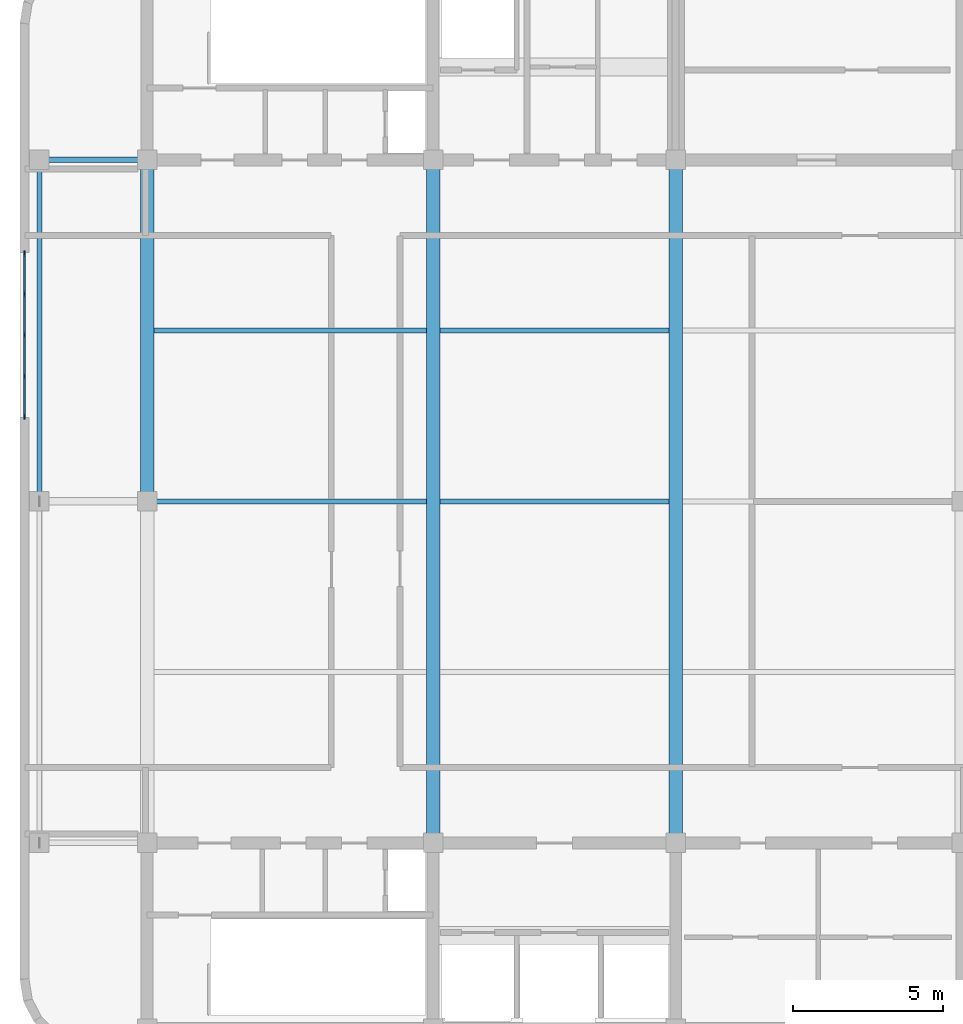
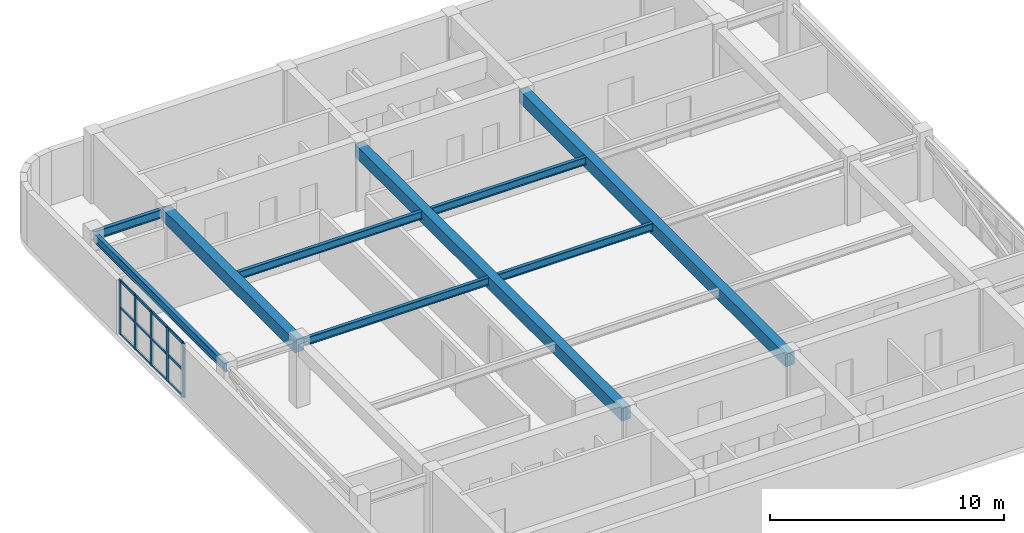
# One storey, part 2 of 9: 17 members, 9 beams, 1 element without a shape of its own.
"""IFC4 building model written with IfcOpenShell, lengths in metres."""

from ifc_helpers import new_model, si_unit, direction, frame, origin, origin_2d, place, context, subcontext, project, spatial, rectangle, i_section, extrude, material, material_profile, profile_set, type_object, element, aggregate, save


model = new_model("IFC4")

# Units and contexts
model_context = context("Model", 3, precision=1e-05, world=origin(), true_north=direction((0.0, 1.0)))
body_context = subcontext(model_context, "Body", "Model", "MODEL_VIEW")
ifc_project = project(units=[si_unit("LENGTHUNIT", "METRE"), si_unit("AREAUNIT", "SQUARE_METRE"), si_unit("VOLUMEUNIT", "CUBIC_METRE"), si_unit("PLANEANGLEUNIT", "RADIAN"), si_unit("MASSUNIT", "GRAM", prefix="KILO")], contexts=[model_context])

# Site, building, storey
site_placement = place(None, origin())
site = spatial("IfcSite", under=ifc_project, at=site_placement, CompositionType="ELEMENT")
building_placement = place(site_placement, origin())
building = spatial("IfcBuilding", under=site, at=building_placement, Name="Svetorya Sky Lyceum", CompositionType="ELEMENT")
storey_placement = place(building_placement, frame((0.0, 0.0, 320.0)))
storey = spatial("IfcBuildingStorey", under=building, at=storey_placement, Name="C06", CompositionType="ELEMENT", Elevation=320.0)

# Beams
ifc_material_1 = material(Name="Concrete C40/50", Category="concrete")
ifc_material_profile_1 = material_profile(ifc_material_1, rectangle(XDim=0.449951171875, YDim=0.64990234375, at=origin_2d()), Name="RC BEAM 450x650")
ifc_profile_set_1 = profile_set([ifc_material_profile_1], Name="Concrete C40/50")
beam_type_1 = type_object("IfcBeamType", Name="BM-RC-650", PredefinedType="BEAM", material=ifc_profile_set_1)
beam_1_placement = place(storey_placement, frame((25.60009765625, 28.199951171875, 2.985107421875), z_axis=(0.0, 1.0, 0.0), x_axis=(-1.0, 0.0, 0.0)))
element("IfcBeam", 1, at=beam_1_placement, inside=storey, type_object=beam_type_1, Name="C06 Central Bay Primary Girder CG-1B", PredefinedType="BEAM", context=body_context, shape_type="SweptSolid", body=[
    extrude(rectangle(XDim=0.449951171875, YDim=0.64990234375, at=origin_2d()), origin(), (0.0, 0.0, 1.0), 11.400146484375),
])
for number, where, z_axis, x_axis, name in (
    (2, (35.14990234375, 16.800048828125, 2.985107421875), (0.0, 1.0, 0.0), (-1.0, 0.0, 0.0), "C06 Central Bay Primary Girder CG-2"),
    (3, (43.25, 16.800048828125, 2.985107421875), (0.0, 1.0, 0.0), (-1.0, 0.0, 0.0), "C06 Central Bay Primary Girder CG-3"),
):
    element("IfcBeam", number, at=place(storey_placement, frame(where, z_axis=z_axis, x_axis=x_axis)), inside=storey, type_object=beam_type_1, Name=name, PredefinedType="BEAM", context=body_context, shape_type="SweptSolid", body=[
        extrude(rectangle(XDim=0.449951171875, YDim=0.64990234375, at=origin_2d()), origin(), (0.0, 0.0, 1.0), 22.800048828125),
    ])
ifc_material_2 = material(Name="Steel S355", Category="steel")
ifc_material_profile_2 = material_profile(ifc_material_2, i_section(OverallWidth=0.1650390625, OverallDepth=0.39990234375, WebThickness=0.008056640625, FlangeThickness=0.012939453125, at=origin_2d()), Name="GOST 40B2")
ifc_profile_set_2 = profile_set([ifc_material_profile_2], Name="Steel S355")
beam_type_2 = type_object("IfcBeamType", Name="BM-STL-40B2", PredefinedType="JOIST", material=ifc_profile_set_2)
beam_2_placement = place(storey_placement, frame((25.824951171875, 28.199951171875, 3.110107421875), z_axis=(1.0, 0.0, 0.0), x_axis=(0.0, 1.0, 0.0)))
element("IfcBeam", 4, at=beam_2_placement, inside=storey, type_object=beam_type_2, Name="C06 Central Floor Joist CJ-2.1", PredefinedType="JOIST", context=body_context, shape_type="SweptSolid", body=[
    extrude(i_section(OverallWidth=0.1650390625, OverallDepth=0.39990234375, WebThickness=0.008056640625, FlangeThickness=0.012939453125, at=origin_2d()), origin(), (0.0, 0.0, 1.0), 9.10009765625),
])
beam_3_placement = place(storey_placement, frame((35.375, 28.199951171875, 3.110107421875), z_axis=(1.0, 0.0, 0.0), x_axis=(0.0, 1.0, 0.0)))
element("IfcBeam", 5, at=beam_3_placement, inside=storey, type_object=beam_type_2, Name="C06 Central Floor Joist CJ-2.2", PredefinedType="JOIST", context=body_context, shape_type="SweptSolid", body=[
    extrude(i_section(OverallWidth=0.1650390625, OverallDepth=0.39990234375, WebThickness=0.008056640625, FlangeThickness=0.012939453125, at=origin_2d()), origin(), (0.0, 0.0, 1.0), 7.64990234375),
])
beam_4_placement = place(storey_placement, frame((25.824951171875, 33.89990234375, 3.110107421875), z_axis=(1.0, 0.0, 0.0), x_axis=(0.0, 1.0, 0.0)))
element("IfcBeam", 6, at=beam_4_placement, inside=storey, type_object=beam_type_2, Name="C06 Central Floor Joist CJ-3.1", PredefinedType="JOIST", context=body_context, shape_type="SweptSolid", body=[
    extrude(i_section(OverallWidth=0.1650390625, OverallDepth=0.39990234375, WebThickness=0.008056640625, FlangeThickness=0.012939453125, at=origin_2d()), origin(), (0.0, 0.0, 1.0), 9.10009765625),
])
beam_5_placement = place(storey_placement, frame((35.375, 33.89990234375, 3.110107421875), z_axis=(1.0, 0.0, 0.0), x_axis=(0.0, 1.0, 0.0)))
element("IfcBeam", 7, at=beam_5_placement, inside=storey, type_object=beam_type_2, Name="C06 Central Floor Joist CJ-3.2", PredefinedType="JOIST", context=body_context, shape_type="SweptSolid", body=[
    extrude(i_section(OverallWidth=0.1650390625, OverallDepth=0.39990234375, WebThickness=0.008056640625, FlangeThickness=0.012939453125, at=origin_2d()), origin(), (0.0, 0.0, 1.0), 7.64990234375),
])
ifc_material_profile_3 = material_profile(ifc_material_2, i_section(OverallWidth=0.179931640625, OverallDepth=0.449951171875, WebThickness=0.009033203125, FlangeThickness=0.014404296875, at=origin_2d()), Name="GOST 45B2")
ifc_profile_set_3 = profile_set([ifc_material_profile_3], Name="Steel S355")
beam_type_3 = type_object("IfcBeamType", Name="BM-STL-45B2", PredefinedType="SPANDREL", material=ifc_profile_set_3)
beam_6_placement = place(storey_placement, frame((22.010009765625, 39.60009765625, 3.0849609375), z_axis=(1.0, 0.0, 0.0), x_axis=(0.0, 1.0, 0.0)))
element("IfcBeam", 8, at=beam_6_placement, inside=storey, type_object=beam_type_3, Name="C06 Tie Spandrel NW", PredefinedType="SPANDREL", context=body_context, shape_type="SweptSolid", body=[
    extrude(i_section(OverallWidth=0.179931640625, OverallDepth=0.449951171875, WebThickness=0.009033203125, FlangeThickness=0.014404296875, at=origin_2d()), origin(), (0.0, 0.0, 1.0), 3.590087890625),
])
beam_7_placement = place(storey_placement, frame((22.010009765625, 28.199951171875, 3.0849609375), z_axis=(0.0, 1.0, 0.0), x_axis=(-1.0, 0.0, 0.0)))
element("IfcBeam", 9, at=beam_7_placement, inside=storey, type_object=beam_type_3, Name="C06 West Spandrel 2", PredefinedType="SPANDREL", context=body_context, shape_type="SweptSolid", body=[
    extrude(i_section(OverallWidth=0.179931640625, OverallDepth=0.449951171875, WebThickness=0.009033203125, FlangeThickness=0.014404296875, at=origin_2d()), origin(), (0.0, 0.0, 1.0), 11.400146484375),
])

# Curtain wall, members
ifc_material_3 = material(Name="Thermally broken anodized aluminium and triple low-E glass", Category="aluminium")
curtain_wall_type = type_object("IfcCurtainWallType", Name="CW5-LVR-PLT", PredefinedType="NOTDEFINED", material=ifc_material_3)
curtain_wall_placement = place(storey_placement, origin())
curtain_wall = element("IfcCurtainWall", 10, at=curtain_wall_placement, inside=storey, type_object=curtain_wall_type, Name="C06 Acoustic Plant Louvre Curtain Wall 24", PredefinedType="NOTDEFINED")
ifc_material_4 = material(Name="Thermally broken anodized aluminium EN AW-6060", Category="aluminium")
ifc_material_profile_4 = material_profile(ifc_material_4, rectangle(XDim=0.06494140625, YDim=0.179931640625, at=origin_2d()), Name="ALU MULLION 65x180")
ifc_profile_set_4 = profile_set([ifc_material_profile_4], Name="Thermally broken anodized aluminium EN AW-6060")
member_type_1 = type_object("IfcMemberType", Name="CWM-MUL-180", PredefinedType="MULLION", material=ifc_profile_set_4)
member_1_placement = place(storey_placement, frame((21.510009765625, 36.467529296875, 0.0), z_axis=(0.0, 0.0, 1.0), x_axis=(1.0, 0.0, 0.0)))
member_1 = element("IfcMember", 11, at=member_1_placement, type_object=member_type_1, Name="CW-5 mullion 1", PredefinedType="MULLION", context=body_context, shape_type="SweptSolid", body=[
    extrude(rectangle(XDim=0.06494140625, YDim=0.179931640625, at=origin_2d()), origin(), (0.0, 0.0, 1.0), 2.830078125),
])
member_2_placement = place(storey_placement, frame((21.510009765625, 35.125, 0.0), z_axis=(0.0, 0.0, 1.0), x_axis=(1.0, 0.0, 0.0)))
member_2 = element("IfcMember", 12, at=member_2_placement, type_object=member_type_1, Name="CW-5 mullion 2", PredefinedType="MULLION", context=body_context, shape_type="SweptSolid", body=[
    extrude(rectangle(XDim=0.06494140625, YDim=0.179931640625, at=origin_2d()), origin(), (0.0, 0.0, 1.0), 2.830078125),
])
member_3_placement = place(storey_placement, frame((21.510009765625, 33.75, 0.0), z_axis=(0.0, 0.0, 1.0), x_axis=(1.0, 0.0, 0.0)))
member_3 = element("IfcMember", 13, at=member_3_placement, type_object=member_type_1, Name="CW-5 mullion 3", PredefinedType="MULLION", context=body_context, shape_type="SweptSolid", body=[
    extrude(rectangle(XDim=0.06494140625, YDim=0.179931640625, at=origin_2d()), origin(), (0.0, 0.0, 1.0), 2.830078125),
])
member_4_placement = place(storey_placement, frame((21.510009765625, 32.375, 0.0), z_axis=(0.0, 0.0, 1.0), x_axis=(1.0, 0.0, 0.0)))
member_4 = element("IfcMember", 14, at=member_4_placement, type_object=member_type_1, Name="CW-5 mullion 4", PredefinedType="MULLION", context=body_context, shape_type="SweptSolid", body=[
    extrude(rectangle(XDim=0.06494140625, YDim=0.179931640625, at=origin_2d()), origin(), (0.0, 0.0, 1.0), 2.830078125),
])
member_5_placement = place(storey_placement, frame((21.510009765625, 31.032470703125, 0.0), z_axis=(0.0, 0.0, 1.0), x_axis=(1.0, 0.0, 0.0)))
member_5 = element("IfcMember", 15, at=member_5_placement, type_object=member_type_1, Name="CW-5 mullion 5", PredefinedType="MULLION", context=body_context, shape_type="SweptSolid", body=[
    extrude(rectangle(XDim=0.06494140625, YDim=0.179931640625, at=origin_2d()), origin(), (0.0, 0.0, 1.0), 2.830078125),
])
ifc_material_profile_5 = material_profile(ifc_material_4, rectangle(XDim=0.06494140625, YDim=0.139892578125, at=origin_2d()), Name="ALU TRANSOM 65x140")
ifc_profile_set_5 = profile_set([ifc_material_profile_5], Name="Thermally broken anodized aluminium EN AW-6060")
member_type_2 = type_object("IfcMemberType", Name="CWM-TRN-140", PredefinedType="USERDEFINED", material=ifc_profile_set_5)
member_6_placement = place(storey_placement, frame((21.510009765625, 36.4365234375, 0.032470703125), z_axis=(0.0, -1.0, 0.0), x_axis=(1.0, 0.0, 0.0)))
member_6 = element("IfcMember", 16, at=member_6_placement, type_object=member_type_2, Name="CW-5 transom 1.1", ObjectType="TRANSOM", PredefinedType="USERDEFINED", context=body_context, shape_type="SweptSolid", body=[
    extrude(rectangle(XDim=0.06494140625, YDim=0.139892578125, at=origin_2d()), origin(), (0.0, 0.0, 1.0), 1.280517578125),
])
member_7_placement = place(storey_placement, frame((21.510009765625, 36.4365234375, 1.4150390625), z_axis=(0.0, -1.0, 0.0), x_axis=(1.0, 0.0, 0.0)))
member_7 = element("IfcMember", 17, at=member_7_placement, type_object=member_type_2, Name="CW-5 transom 1.2", ObjectType="TRANSOM", PredefinedType="USERDEFINED", context=body_context, shape_type="SweptSolid", body=[
    extrude(rectangle(XDim=0.06494140625, YDim=0.139892578125, at=origin_2d()), origin(), (0.0, 0.0, 1.0), 1.280517578125),
])
member_8_placement = place(storey_placement, frame((21.510009765625, 36.4365234375, 2.797607421875), z_axis=(0.0, -1.0, 0.0), x_axis=(1.0, 0.0, 0.0)))
member_8 = element("IfcMember", 18, at=member_8_placement, type_object=member_type_2, Name="CW-5 transom 1.3", ObjectType="TRANSOM", PredefinedType="USERDEFINED", context=body_context, shape_type="SweptSolid", body=[
    extrude(rectangle(XDim=0.06494140625, YDim=0.139892578125, at=origin_2d()), origin(), (0.0, 0.0, 1.0), 1.280517578125),
])
member_9_placement = place(storey_placement, frame((21.510009765625, 35.093994140625, 0.032470703125), z_axis=(0.0, -1.0, 0.0), x_axis=(1.0, 0.0, 0.0)))
member_9 = element("IfcMember", 19, at=member_9_placement, type_object=member_type_2, Name="CW-5 transom 2.1", ObjectType="TRANSOM", PredefinedType="USERDEFINED", context=body_context, shape_type="SweptSolid", body=[
    extrude(rectangle(XDim=0.06494140625, YDim=0.139892578125, at=origin_2d()), origin(), (0.0, 0.0, 1.0), 1.31298828125),
])
member_10_placement = place(storey_placement, frame((21.510009765625, 35.093994140625, 1.4150390625), z_axis=(0.0, -1.0, 0.0), x_axis=(1.0, 0.0, 0.0)))
member_10 = element("IfcMember", 20, at=member_10_placement, type_object=member_type_2, Name="CW-5 transom 2.2", ObjectType="TRANSOM", PredefinedType="USERDEFINED", context=body_context, shape_type="SweptSolid", body=[
    extrude(rectangle(XDim=0.06494140625, YDim=0.139892578125, at=origin_2d()), origin(), (0.0, 0.0, 1.0), 1.31298828125),
])
member_11_placement = place(storey_placement, frame((21.510009765625, 35.093994140625, 2.797607421875), z_axis=(0.0, -1.0, 0.0), x_axis=(1.0, 0.0, 0.0)))
member_11 = element("IfcMember", 21, at=member_11_placement, type_object=member_type_2, Name="CW-5 transom 2.3", ObjectType="TRANSOM", PredefinedType="USERDEFINED", context=body_context, shape_type="SweptSolid", body=[
    extrude(rectangle(XDim=0.06494140625, YDim=0.139892578125, at=origin_2d()), origin(), (0.0, 0.0, 1.0), 1.31298828125),
])
member_12_placement = place(storey_placement, frame((21.510009765625, 33.718994140625, 0.032470703125), z_axis=(0.0, -1.0, 0.0), x_axis=(1.0, 0.0, 0.0)))
member_12 = element("IfcMember", 22, at=member_12_placement, type_object=member_type_2, Name="CW-5 transom 3.1", ObjectType="TRANSOM", PredefinedType="USERDEFINED", context=body_context, shape_type="SweptSolid", body=[
    extrude(rectangle(XDim=0.06494140625, YDim=0.139892578125, at=origin_2d()), origin(), (0.0, 0.0, 1.0), 1.31298828125),
])
member_13_placement = place(storey_placement, frame((21.510009765625, 33.718994140625, 1.4150390625), z_axis=(0.0, -1.0, 0.0), x_axis=(1.0, 0.0, 0.0)))
member_13 = element("IfcMember", 23, at=member_13_placement, type_object=member_type_2, Name="CW-5 transom 3.2", ObjectType="TRANSOM", PredefinedType="USERDEFINED", context=body_context, shape_type="SweptSolid", body=[
    extrude(rectangle(XDim=0.06494140625, YDim=0.139892578125, at=origin_2d()), origin(), (0.0, 0.0, 1.0), 1.31298828125),
])
member_14_placement = place(storey_placement, frame((21.510009765625, 33.718994140625, 2.797607421875), z_axis=(0.0, -1.0, 0.0), x_axis=(1.0, 0.0, 0.0)))
member_14 = element("IfcMember", 24, at=member_14_placement, type_object=member_type_2, Name="CW-5 transom 3.3", ObjectType="TRANSOM", PredefinedType="USERDEFINED", context=body_context, shape_type="SweptSolid", body=[
    extrude(rectangle(XDim=0.06494140625, YDim=0.139892578125, at=origin_2d()), origin(), (0.0, 0.0, 1.0), 1.31298828125),
])
member_15_placement = place(storey_placement, frame((21.510009765625, 32.343994140625, 0.032470703125), z_axis=(0.0, -1.0, 0.0), x_axis=(1.0, 0.0, 0.0)))
member_15 = element("IfcMember", 25, at=member_15_placement, type_object=member_type_2, Name="CW-5 transom 4.1", ObjectType="TRANSOM", PredefinedType="USERDEFINED", context=body_context, shape_type="SweptSolid", body=[
    extrude(rectangle(XDim=0.06494140625, YDim=0.139892578125, at=origin_2d()), origin(), (0.0, 0.0, 1.0), 1.280517578125),
])
member_16_placement = place(storey_placement, frame((21.510009765625, 32.343994140625, 1.4150390625), z_axis=(0.0, -1.0, 0.0), x_axis=(1.0, 0.0, 0.0)))
member_16 = element("IfcMember", 26, at=member_16_placement, type_object=member_type_2, Name="CW-5 transom 4.2", ObjectType="TRANSOM", PredefinedType="USERDEFINED", context=body_context, shape_type="SweptSolid", body=[
    extrude(rectangle(XDim=0.06494140625, YDim=0.139892578125, at=origin_2d()), origin(), (0.0, 0.0, 1.0), 1.280517578125),
])
member_17_placement = place(storey_placement, frame((21.510009765625, 32.343994140625, 2.797607421875), z_axis=(0.0, -1.0, 0.0), x_axis=(1.0, 0.0, 0.0)))
member_17 = element("IfcMember", 27, at=member_17_placement, type_object=member_type_2, Name="CW-5 transom 4.3", ObjectType="TRANSOM", PredefinedType="USERDEFINED", context=body_context, shape_type="SweptSolid", body=[
    extrude(rectangle(XDim=0.06494140625, YDim=0.139892578125, at=origin_2d()), origin(), (0.0, 0.0, 1.0), 1.280517578125),
])
aggregate(curtain_wall, [member_1, member_2, member_3, member_4, member_5, member_6, member_7, member_8, member_9, member_10, member_11, member_12, member_13, member_14, member_15, member_16, member_17])

save(model, "model.ifc")
